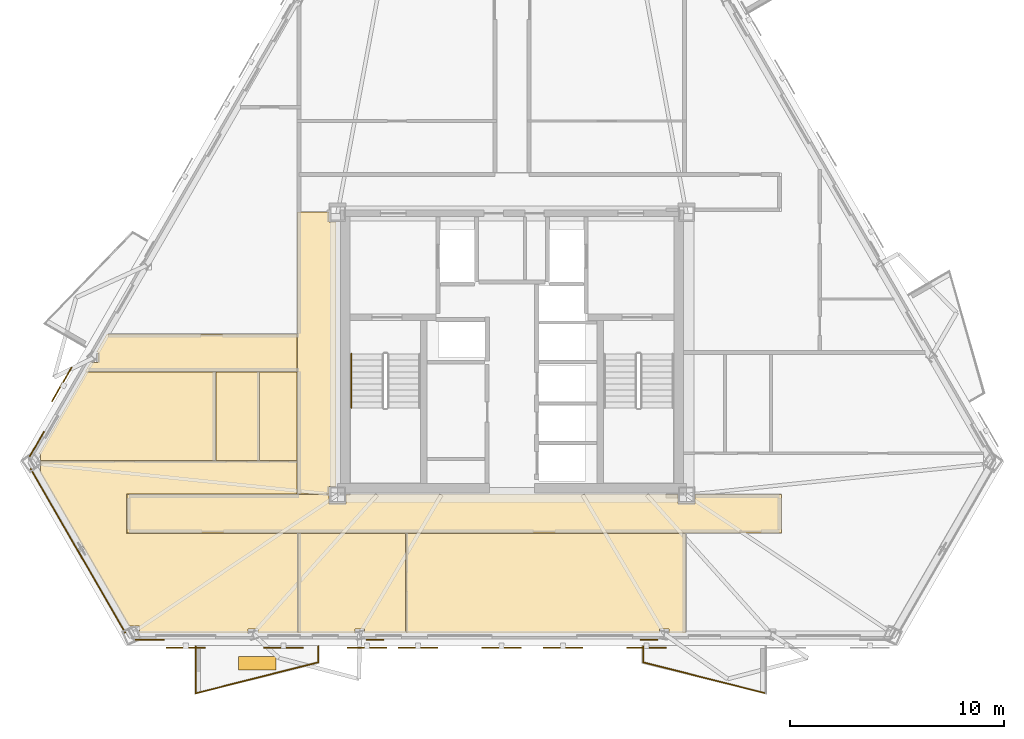
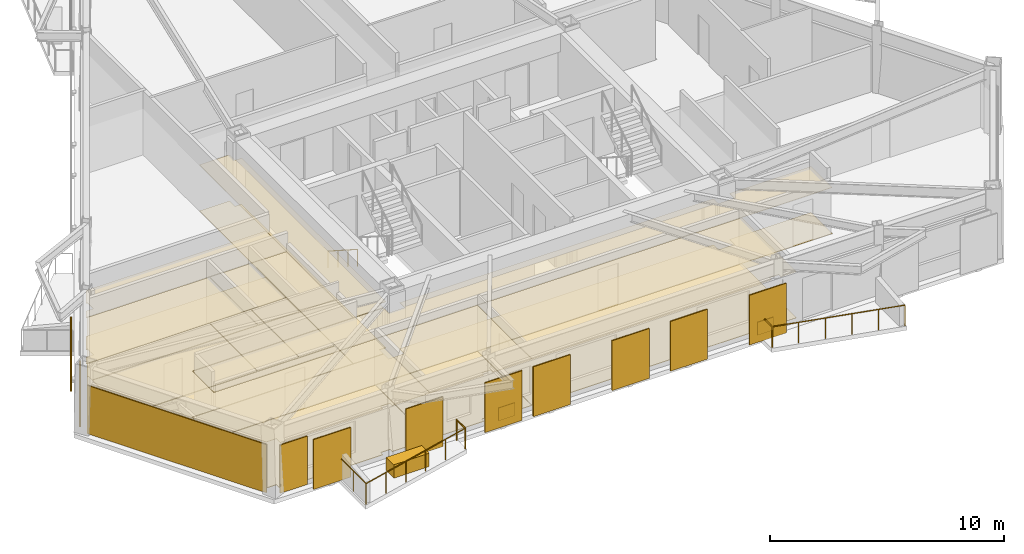
# One storey, part 7 of 9: 24 coverings, 8 shading devices, 6 railings.
"""IFC4 building model written with IfcOpenShell, lengths in metres."""

from ifc_helpers import new_model, si_unit, direction, frame, origin, origin_2d, place, context, subcontext, project, spatial, polyline, rectangle, circle, outline, extrude, material, layer, layer_set, type_object, element, save


model = new_model("IFC4")

# Units and contexts
model_context = context("Model", 3, precision=1e-05, world=origin(), true_north=direction((0.0, 1.0)))
body_context = subcontext(model_context, "Body", "Model", "MODEL_VIEW")
ifc_project = project(units=[si_unit("LENGTHUNIT", "METRE"), si_unit("AREAUNIT", "SQUARE_METRE"), si_unit("VOLUMEUNIT", "CUBIC_METRE"), si_unit("PLANEANGLEUNIT", "RADIAN"), si_unit("MASSUNIT", "GRAM", prefix="KILO")], contexts=[model_context])

# Site, building, storey
site_placement = place(None, origin())
site = spatial("IfcSite", under=ifc_project, at=site_placement, CompositionType="ELEMENT")
building_placement = place(site_placement, origin())
building = spatial("IfcBuilding", under=site, at=building_placement, Name="Oramaril Tower", CompositionType="ELEMENT")
storey_placement = place(building_placement, frame((0.0, 0.0, 153.0)))
storey = spatial("IfcBuildingStorey", under=building, at=storey_placement, Name="L40", CompositionType="ELEMENT", Elevation=153.0)

# Coverings
ifc_material_1 = material(Name="Mineral Fibre Acoustic Ceiling")
ifc_layer_1 = layer(ifc_material_1, 0.02001953125)
ifc_layer_set_1 = layer_set([ifc_layer_1], Name="CVT-CEIL")
covering_type_1 = type_object("IfcCoveringType", Name="CVT-CEIL", PredefinedType="CEILING", material=ifc_layer_set_1)
covering_1_placement = place(storey_placement, frame((0.0, 0.0, 2.412109375)))
element("IfcCovering", 1, at=covering_1_placement, inside=storey, type_object=covering_type_1, Name="L40 Acoustic Suspended Ceiling 1", PredefinedType="CEILING", context=body_context, shape_type="SweptSolid", body=[
    extrude(outline(polyline([(28.955078125, 10.60498046875), (29.7451171875, 10.60498046875), (29.7451171875, 11.030029296875), (45.2548828125, 11.030029296875), (45.2548828125, 10.60498046875), (46.044921875, 10.60498046875), (46.044921875, 11.030029296875), (50.080078125, 11.030029296875), (50.080078125, 9.219970703125), (19.52001953125, 9.219970703125), (19.52001953125, 11.030029296875), (28.955078125, 11.030029296875), (28.955078125, 10.60498046875)])), origin(), (0.0, 0.0, 1.0), 0.019775390625),
])
covering_2_placement = place(storey_placement, frame((0.0, 0.0, 2.412109375)))
element("IfcCovering", 2, at=covering_2_placement, inside=storey, type_object=covering_type_1, Name="L40 Acoustic Suspended Ceiling 3", PredefinedType="CEILING", context=body_context, shape_type="SweptSolid", body=[
    extrude(outline(polyline([(28.955078125, 23.7548828125), (29.280029296875, 23.7548828125), (29.280029296875, 11.39501953125), (28.955078125, 11.39501953125), (28.955078125, 11.050048828125), (27.469970703125, 11.050048828125), (27.469970703125, 24.219970703125), (28.955078125, 24.219970703125), (28.955078125, 23.7548828125)])), origin(), (0.0, 0.0, 1.0), 0.019775390625),
])
covering_3_placement = place(storey_placement, frame((0.0, 0.0, 2.412109375)))
element("IfcCovering", 3, at=covering_3_placement, inside=storey, type_object=covering_type_1, Name="L40 Acoustic Suspended Ceiling 5", PredefinedType="CEILING", context=body_context, shape_type="SweptSolid", body=[
    extrude(outline(polyline([(17.568603515625, 16.77001953125), (17.811767578125, 17.19091796875), (18.165771484375, 17.19091796875), (18.165771484375, 17.68798828125), (18.0986328125, 17.68798828125), (18.5849609375, 18.530029296875), (27.449951171875, 18.530029296875), (27.449951171875, 16.77001953125), (17.568603515625, 16.77001953125)])), origin(), (0.0, 0.0, 1.0), 0.019775390625),
])
covering_4_placement = place(storey_placement, frame((0.0, 0.0, 2.412109375)))
element("IfcCovering", 4, at=covering_4_placement, inside=storey, type_object=covering_type_1, Name="L40 Acoustic Suspended Ceiling 6", PredefinedType="CEILING", context=body_context, shape_type="SweptSolid", body=[
    extrude(outline(polyline([(44.8408203125, 4.730224609375), (44.388427734375, 4.730224609375), (44.388427734375, 4.5419921875), (32.55078125, 4.5419921875), (32.55078125, 9.199951171875), (45.60205078125, 9.199951171875), (45.60205078125, 4.5419921875), (44.8408203125, 4.5419921875), (44.8408203125, 4.730224609375)])), origin(), (0.0, 0.0, 1.0), 0.019775390625),
])
covering_5_placement = place(storey_placement, frame((0.0, 0.0, 2.412109375)))
element("IfcCovering", 5, at=covering_5_placement, inside=storey, type_object=covering_type_1, Name="L40 Acoustic Suspended Ceiling 7", PredefinedType="CEILING", context=body_context, shape_type="SweptSolid", body=[
    extrude(outline(polyline([(30.611572265625, 4.730224609375), (30.1591796875, 4.730224609375), (30.1591796875, 4.5419921875), (27.508056640625, 4.5419921875), (27.508056640625, 9.199951171875), (32.53076171875, 9.199951171875), (32.53076171875, 4.5419921875), (30.611572265625, 4.5419921875), (30.611572265625, 4.730224609375)])), origin(), (0.0, 0.0, 1.0), 0.019775390625),
])
covering_6_placement = place(storey_placement, frame((0.0, 0.0, 2.412109375)))
element("IfcCovering", 6, at=covering_6_placement, inside=storey, type_object=covering_type_1, Name="L40 Acoustic Suspended Ceiling 8", PredefinedType="CEILING", context=body_context, shape_type="SweptSolid", body=[
    extrude(outline(polyline([(25.635986328125, 4.5419921875), (25.635986328125, 4.730224609375), (25.17431640625, 4.730224609375), (25.17431640625, 4.5419921875), (20.10009765625, 4.5419921875), (20.10009765625, 4.880615234375), (19.596923828125, 4.880615234375), (15.42529296875, 12.106689453125), (15.4677734375, 12.106689453125), (15.4677734375, 12.592041015625), (27.449951171875, 12.592041015625), (27.449951171875, 11.050048828125), (19.52001953125, 11.050048828125), (19.51806640625, 11.0498046875), (19.51611328125, 11.049560546875), (19.51416015625, 11.049072265625), (19.51220703125, 11.048583984375), (19.510498046875, 11.047607421875), (19.5087890625, 11.046630859375), (19.50732421875, 11.04541015625), (19.505859375, 11.044189453125), (19.50439453125, 11.042724609375), (19.50341796875, 11.041015625), (19.50244140625, 11.039306640625), (19.50146484375, 11.03759765625), (19.5009765625, 11.035888671875), (19.50048828125, 11.033935546875), (19.5, 11.031982421875), (19.5, 11.030029296875), (19.5, 9.219970703125), (19.5, 9.218017578125), (19.50048828125, 9.216064453125), (19.5009765625, 9.214111328125), (19.50146484375, 9.21240234375), (19.50244140625, 9.210693359375), (19.50341796875, 9.208984375), (19.50439453125, 9.207275390625), (19.505859375, 9.205810546875), (19.50732421875, 9.20458984375), (19.5087890625, 9.203369140625), (19.510498046875, 9.202392578125), (19.51220703125, 9.201416015625), (19.51416015625, 9.200927734375), (19.51611328125, 9.200439453125), (19.51806640625, 9.2001953125), (19.52001953125, 9.199951171875), (27.488037109375, 9.199951171875), (27.488037109375, 4.5419921875), (25.635986328125, 4.5419921875)])), origin(), (0.0, 0.0, 1.0), 0.019775390625),
])
covering_7_placement = place(storey_placement, frame((0.0, 0.0, 2.412109375)))
element("IfcCovering", 7, at=covering_7_placement, inside=storey, type_object=covering_type_1, Name="L40 Acoustic Suspended Ceiling 9", PredefinedType="CEILING", context=body_context, shape_type="SweptSolid", body=[
    extrude(outline(polyline([(15.4677734375, 12.913818359375), (15.38623046875, 12.913818359375), (17.60107421875, 16.75), (23.643798828125, 16.75), (23.643798828125, 12.612060546875), (15.4677734375, 12.612060546875), (15.4677734375, 12.913818359375)])), origin(), (0.0, 0.0, 1.0), 0.019775390625),
])
covering_8_placement = place(storey_placement, frame((0.0, 0.0, 2.412109375)))
element("IfcCovering", 8, at=covering_8_placement, inside=storey, type_object=covering_type_1, Name="L40 Acoustic Suspended Ceiling 10", PredefinedType="CEILING", context=body_context, shape_type="SweptSolid", body=[
    extrude(outline(polyline([(25.69384765625, 12.612060546875), (23.663818359375, 12.612060546875), (23.663818359375, 16.75), (25.69384765625, 16.75), (25.69384765625, 12.612060546875)])), origin(), (0.0, 0.0, 1.0), 0.019775390625),
])
covering_9_placement = place(storey_placement, frame((0.0, 0.0, 2.412109375)))
element("IfcCovering", 9, at=covering_9_placement, inside=storey, type_object=covering_type_1, Name="L40 Acoustic Suspended Ceiling 11", PredefinedType="CEILING", context=body_context, shape_type="SweptSolid", body=[
    extrude(outline(polyline([(25.7138671875, 16.75), (27.449951171875, 16.75), (27.449951171875, 12.612060546875), (25.7138671875, 12.612060546875), (25.7138671875, 16.75)])), origin(), (0.0, 0.0, 1.0), 0.019775390625),
])
ifc_material_2 = material(Name="Warm Cream Limestone", Category="masonry")
ifc_layer_2 = layer(ifc_material_2, 0.050048828125)
ifc_layer_set_2 = layer_set([ifc_layer_2], Name="CVT-CLD")
covering_type_2 = type_object("IfcCoveringType", Name="CVT-CLD", PredefinedType="CLADDING", material=ifc_layer_set_2)
covering_10_placement = place(storey_placement, frame((17.221923828125, 8.392578125, 0.0400390625), z_axis=(0.0, 0.0, 1.0), x_axis=(0.5, -0.866025403784, 0.0)))
element("IfcCovering", 10, at=covering_10_placement, inside=storey, type_object=covering_type_2, Name="L40 Warm Cream Limestone Cladding", PredefinedType="CLADDING", context=body_context, shape_type="SweptSolid", body=[
    extrude(rectangle(XDim=8.864501953125, YDim=0.050048828125, at=origin_2d()), origin(), (0.0, 0.0, 1.0), 2.52001953125),
])
covering_11_placement = place(storey_placement, frame((20.580078125, 4.2412109375, 0.0400390625), z_axis=(0.0, 0.0, 1.0), x_axis=(1.0, 0.0, 0.0)))
element("IfcCovering", 11, at=covering_11_placement, inside=storey, type_object=covering_type_2, Name="L40 Warm Cream Limestone Cladding", PredefinedType="CLADDING", context=body_context, shape_type="SweptSolid", body=[
    extrude(rectangle(XDim=1.35009765625, YDim=0.050048828125, at=origin_2d()), origin(), (0.0, 0.0, 1.0), 2.52001953125),
])
for number, where, z_axis, x_axis, name in (
    (12, (31.102783203125, 4.2412109375, 0.0400390625), (0.0, 0.0, 1.0), (1.0, 0.0, 0.0), "L40 Warm Cream Limestone Spandrel Cladding"),
    (13, (43.897216796875, 4.2412109375, 0.0400390625), (0.0, 0.0, 1.0), (1.0, 0.0, 0.0), "L40 Warm Cream Limestone Spandrel Cladding"),
):
    element("IfcCovering", number, at=place(storey_placement, frame(where, z_axis=z_axis, x_axis=x_axis)), inside=storey, type_object=covering_type_2, Name=name, PredefinedType="CLADDING", context=body_context, shape_type="SweptSolid", body=[
        extrude(rectangle(XDim=0.800048828125, YDim=0.050048828125, at=origin_2d()), origin(), (0.0, 0.0, 1.0), 0.679931640625),
    ])
covering_12_placement = place(storey_placement, frame((15.305908203125, 13.37646484375, 0.0400390625), z_axis=(0.0, 0.0, 1.0), x_axis=(-0.5, -0.866025403784, 0.0)))
element("IfcCovering", 14, at=covering_12_placement, inside=storey, type_object=covering_type_2, Name="L40 Warm Cream Limestone Cladding", PredefinedType="CLADDING", context=body_context, shape_type="SweptSolid", body=[
    extrude(rectangle(XDim=1.35009765625, YDim=0.050048828125, at=origin_2d()), origin(), (0.0, 0.0, 1.0), 2.52001953125),
])
covering_13_placement = place(storey_placement, frame((25.589599609375, 3.1376953125, 0.0), z_axis=(0.0, 0.0, 1.0), x_axis=(1.0, 0.0, 0.0)))
element("IfcCovering", 15, at=covering_13_placement, inside=storey, type_object=covering_type_2, Name="L40 Structural Tree Planter Box L40-BAL-S1", PredefinedType="CLADDING", context=body_context, shape_type="SweptSolid", body=[
    extrude(rectangle(XDim=1.75, YDim=0.64990234375, at=origin_2d()), origin(), (0.0, 0.0, 1.0), 0.699951171875),
])
ifc_material_3 = material(Name="Honed Quartzite Stone Flooring", Category="masonry")
ifc_layer_3 = layer(ifc_material_3, 0.02490234375)
ifc_layer_set_3 = layer_set([ifc_layer_3], Name="CVT-FLR")
covering_type_3 = type_object("IfcCoveringType", Name="CVT-FLR", PredefinedType="FLOORING", material=ifc_layer_set_3)
covering_14_placement = place(storey_placement, origin())
element("IfcCovering", 16, at=covering_14_placement, inside=storey, type_object=covering_type_3, Name="L40 Honed Stone Floor Finish 1", PredefinedType="FLOORING", context=body_context, shape_type="SweptSolid", body=[
    extrude(outline(polyline([(28.955078125, 10.60498046875), (29.7451171875, 10.60498046875), (29.7451171875, 11.030029296875), (45.2548828125, 11.030029296875), (45.2548828125, 10.60498046875), (46.044921875, 10.60498046875), (46.044921875, 11.030029296875), (50.080078125, 11.030029296875), (50.080078125, 9.219970703125), (19.52001953125, 9.219970703125), (19.52001953125, 11.030029296875), (28.955078125, 11.030029296875), (28.955078125, 10.60498046875)])), origin(), (0.0, 0.0, 1.0), 0.02490234375),
])
covering_15_placement = place(storey_placement, origin())
element("IfcCovering", 17, at=covering_15_placement, inside=storey, type_object=covering_type_3, Name="L40 Honed Stone Floor Finish 3", PredefinedType="FLOORING", context=body_context, shape_type="SweptSolid", body=[
    extrude(outline(polyline([(28.955078125, 23.7548828125), (29.280029296875, 23.7548828125), (29.280029296875, 11.39501953125), (28.955078125, 11.39501953125), (28.955078125, 11.050048828125), (27.469970703125, 11.050048828125), (27.469970703125, 24.219970703125), (28.955078125, 24.219970703125), (28.955078125, 23.7548828125)])), origin(), (0.0, 0.0, 1.0), 0.02490234375),
])
covering_16_placement = place(storey_placement, origin())
element("IfcCovering", 18, at=covering_16_placement, inside=storey, type_object=covering_type_3, Name="L40 Honed Stone Floor Finish 5", PredefinedType="FLOORING", context=body_context, shape_type="SweptSolid", body=[
    extrude(outline(polyline([(17.568603515625, 16.77001953125), (17.811767578125, 17.19091796875), (18.165771484375, 17.19091796875), (18.165771484375, 17.68798828125), (18.0986328125, 17.68798828125), (18.5849609375, 18.530029296875), (27.449951171875, 18.530029296875), (27.449951171875, 16.77001953125), (17.568603515625, 16.77001953125)])), origin(), (0.0, 0.0, 1.0), 0.02490234375),
])
covering_17_placement = place(storey_placement, origin())
element("IfcCovering", 19, at=covering_17_placement, inside=storey, type_object=covering_type_3, Name="L40 Honed Stone Floor Finish 6", PredefinedType="FLOORING", context=body_context, shape_type="SweptSolid", body=[
    extrude(outline(polyline([(44.8408203125, 4.730224609375), (44.388427734375, 4.730224609375), (44.388427734375, 4.5419921875), (32.55078125, 4.5419921875), (32.55078125, 9.199951171875), (45.60205078125, 9.199951171875), (45.60205078125, 4.5419921875), (44.8408203125, 4.5419921875), (44.8408203125, 4.730224609375)])), origin(), (0.0, 0.0, 1.0), 0.02490234375),
])
covering_18_placement = place(storey_placement, origin())
element("IfcCovering", 20, at=covering_18_placement, inside=storey, type_object=covering_type_3, Name="L40 Honed Stone Floor Finish 7", PredefinedType="FLOORING", context=body_context, shape_type="SweptSolid", body=[
    extrude(outline(polyline([(30.611572265625, 4.730224609375), (30.1591796875, 4.730224609375), (30.1591796875, 4.5419921875), (27.508056640625, 4.5419921875), (27.508056640625, 9.199951171875), (32.53076171875, 9.199951171875), (32.53076171875, 4.5419921875), (30.611572265625, 4.5419921875), (30.611572265625, 4.730224609375)])), origin(), (0.0, 0.0, 1.0), 0.02490234375),
])
covering_19_placement = place(storey_placement, origin())
element("IfcCovering", 21, at=covering_19_placement, inside=storey, type_object=covering_type_3, Name="L40 Honed Stone Floor Finish 8", PredefinedType="FLOORING", context=body_context, shape_type="SweptSolid", body=[
    extrude(outline(polyline([(25.635986328125, 4.5419921875), (25.635986328125, 4.730224609375), (25.17431640625, 4.730224609375), (25.17431640625, 4.5419921875), (20.10009765625, 4.5419921875), (20.10009765625, 4.880615234375), (19.596923828125, 4.880615234375), (15.42529296875, 12.106689453125), (15.4677734375, 12.106689453125), (15.4677734375, 12.592041015625), (27.449951171875, 12.592041015625), (27.449951171875, 11.050048828125), (19.52001953125, 11.050048828125), (19.51806640625, 11.0498046875), (19.51611328125, 11.049560546875), (19.51416015625, 11.049072265625), (19.51220703125, 11.048583984375), (19.510498046875, 11.047607421875), (19.5087890625, 11.046630859375), (19.50732421875, 11.04541015625), (19.505859375, 11.044189453125), (19.50439453125, 11.042724609375), (19.50341796875, 11.041015625), (19.50244140625, 11.039306640625), (19.50146484375, 11.03759765625), (19.5009765625, 11.035888671875), (19.50048828125, 11.033935546875), (19.5, 11.031982421875), (19.5, 11.030029296875), (19.5, 9.219970703125), (19.5, 9.218017578125), (19.50048828125, 9.216064453125), (19.5009765625, 9.214111328125), (19.50146484375, 9.21240234375), (19.50244140625, 9.210693359375), (19.50341796875, 9.208984375), (19.50439453125, 9.207275390625), (19.505859375, 9.205810546875), (19.50732421875, 9.20458984375), (19.5087890625, 9.203369140625), (19.510498046875, 9.202392578125), (19.51220703125, 9.201416015625), (19.51416015625, 9.200927734375), (19.51611328125, 9.200439453125), (19.51806640625, 9.2001953125), (19.52001953125, 9.199951171875), (27.488037109375, 9.199951171875), (27.488037109375, 4.5419921875), (25.635986328125, 4.5419921875)])), origin(), (0.0, 0.0, 1.0), 0.02490234375),
])
covering_20_placement = place(storey_placement, origin())
element("IfcCovering", 22, at=covering_20_placement, inside=storey, type_object=covering_type_3, Name="L40 Honed Stone Floor Finish 9", PredefinedType="FLOORING", context=body_context, shape_type="SweptSolid", body=[
    extrude(outline(polyline([(15.4677734375, 12.913818359375), (15.38623046875, 12.913818359375), (17.60107421875, 16.75), (23.643798828125, 16.75), (23.643798828125, 12.612060546875), (15.4677734375, 12.612060546875), (15.4677734375, 12.913818359375)])), origin(), (0.0, 0.0, 1.0), 0.02490234375),
])
covering_21_placement = place(storey_placement, origin())
element("IfcCovering", 23, at=covering_21_placement, inside=storey, type_object=covering_type_3, Name="L40 Honed Stone Floor Finish 10", PredefinedType="FLOORING", context=body_context, shape_type="SweptSolid", body=[
    extrude(outline(polyline([(25.69384765625, 12.612060546875), (23.663818359375, 12.612060546875), (23.663818359375, 16.75), (25.69384765625, 16.75), (25.69384765625, 12.612060546875)])), origin(), (0.0, 0.0, 1.0), 0.02490234375),
])
covering_22_placement = place(storey_placement, origin())
element("IfcCovering", 24, at=covering_22_placement, inside=storey, type_object=covering_type_3, Name="L40 Honed Stone Floor Finish 11", PredefinedType="FLOORING", context=body_context, shape_type="SweptSolid", body=[
    extrude(outline(polyline([(25.7138671875, 16.75), (27.449951171875, 16.75), (27.449951171875, 12.612060546875), (25.7138671875, 12.612060546875), (25.7138671875, 16.75)])), origin(), (0.0, 0.0, 1.0), 0.02490234375),
])

# Railings
ifc_material_4 = material(Name="Stainless Steel 316L", Category="steel")
railing_type_1 = type_object("IfcRailingType", Name="RLT-GRD", PredefinedType="GUARDRAIL", material=ifc_material_4)
railing_1_placement = place(storey_placement, frame((28.45458984375, 3.926025390625, 0.0)))
element("IfcRailing", 25, at=railing_1_placement, inside=storey, type_object=railing_type_1, Name="L40 Balcony Guardrail L40-BAL-S1.1", PredefinedType="GUARDRAIL", context=body_context, shape_type="SweptSolid", body=[
    extrude(circle(Radius=0.02392578125, at=origin_2d()), frame((0.0, 0.0, 1.076171875), z_axis=(0.0, -1.0, 0.0), x_axis=(1.0, 0.0, 0.0)), (0.0, 0.0, 1.0), 0.741943359375),
    extrude(circle(Radius=0.02099609375, at=origin_2d()), origin(), (0.0, 0.0, 1.0), 1.052001953125),
    extrude(circle(Radius=0.02099609375, at=origin_2d()), frame((0.0, -0.741943359375, 0.0)), (0.0, 0.0, 1.0), 1.052001953125),
])
railing_2_placement = place(storey_placement, frame((28.45458984375, 3.18408203125, 0.0)))
element("IfcRailing", 26, at=railing_2_placement, inside=storey, type_object=railing_type_1, Name="L40 Balcony Guardrail L40-BAL-S1.2", PredefinedType="GUARDRAIL", context=body_context, shape_type="SweptSolid", body=[
    extrude(circle(Radius=0.02392578125, at=origin_2d()), frame((0.0, 0.0, 1.076171875), z_axis=(-0.969443611257, -0.245314256807, 0.0), x_axis=(0.245314256807, -0.969443611257, 0.0)), (0.0, 0.0, 1.0), 5.91064453125),
    extrude(circle(Radius=0.02099609375, at=origin_2d()), origin(), (0.0, 0.0, 1.0), 1.052001953125),
    extrude(circle(Radius=0.02099609375, at=origin_2d()), frame((-1.14599609375, -0.2900390625, 0.0)), (0.0, 0.0, 1.0), 1.052001953125),
    extrude(circle(Radius=0.02099609375, at=origin_2d()), frame((-2.2919921875, -0.580078125, 0.0)), (0.0, 0.0, 1.0), 1.052001953125),
    extrude(circle(Radius=0.02099609375, at=origin_2d()), frame((-3.43798828125, -0.869873046875, 0.0)), (0.0, 0.0, 1.0), 1.052001953125),
    extrude(circle(Radius=0.02099609375, at=origin_2d()), frame((-4.583984375, -1.159912109375, 0.0)), (0.0, 0.0, 1.0), 1.052001953125),
    extrude(circle(Radius=0.02099609375, at=origin_2d()), frame((-5.72998046875, -1.449951171875, 0.0)), (0.0, 0.0, 1.0), 1.052001953125),
])
railing_3_placement = place(storey_placement, frame((22.724609375, 1.734130859375, 0.0)))
element("IfcRailing", 27, at=railing_3_placement, inside=storey, type_object=railing_type_1, Name="L40 Balcony Guardrail L40-BAL-S1.3", PredefinedType="GUARDRAIL", context=body_context, shape_type="SweptSolid", body=[
    extrude(circle(Radius=0.02392578125, at=origin_2d()), frame((0.0, 0.0, 1.076171875), z_axis=(0.0, 1.0, 0.0), x_axis=(-1.0, 0.0, 0.0)), (0.0, 0.0, 1.0), 2.19189453125),
    extrude(circle(Radius=0.02099609375, at=origin_2d()), origin(), (0.0, 0.0, 1.0), 1.052001953125),
    extrude(circle(Radius=0.02099609375, at=origin_2d()), frame((0.0, 1.095947265625, 0.0)), (0.0, 0.0, 1.0), 1.052001953125),
    extrude(circle(Radius=0.02099609375, at=origin_2d()), frame((0.0, 2.19189453125, 0.0)), (0.0, 0.0, 1.0), 1.052001953125),
])
railing_4_placement = place(storey_placement, frame((49.350341796875, 1.734130859375, 0.0)))
element("IfcRailing", 28, at=railing_4_placement, inside=storey, type_object=railing_type_1, Name="L40 Balcony Guardrail L40-BAL-S2.2", PredefinedType="GUARDRAIL", context=body_context, shape_type="SweptSolid", body=[
    extrude(circle(Radius=0.02392578125, at=origin_2d()), frame((0.0, 0.0, 1.076171875), z_axis=(-0.969443611257, 0.245314256807, 0.0), x_axis=(-0.245314256807, -0.969443611257, 0.0)), (0.0, 0.0, 1.0), 5.91064453125),
    extrude(circle(Radius=0.02099609375, at=origin_2d()), origin(), (0.0, 0.0, 1.0), 1.052001953125),
    extrude(circle(Radius=0.02099609375, at=origin_2d()), frame((-1.14599609375, 0.2900390625, 0.0)), (0.0, 0.0, 1.0), 1.052001953125),
    extrude(circle(Radius=0.02099609375, at=origin_2d()), frame((-2.2919921875, 0.580078125, 0.0)), (0.0, 0.0, 1.0), 1.052001953125),
    extrude(circle(Radius=0.02099609375, at=origin_2d()), frame((-3.43798828125, 0.869873046875, 0.0)), (0.0, 0.0, 1.0), 1.052001953125),
    extrude(circle(Radius=0.02099609375, at=origin_2d()), frame((-4.583984375, 1.159912109375, 0.0)), (0.0, 0.0, 1.0), 1.052001953125),
    extrude(circle(Radius=0.02099609375, at=origin_2d()), frame((-5.72998046875, 1.449951171875, 0.0)), (0.0, 0.0, 1.0), 1.052001953125),
])
railing_5_placement = place(storey_placement, frame((43.620361328125, 3.18408203125, 0.0)))
element("IfcRailing", 29, at=railing_5_placement, inside=storey, type_object=railing_type_1, Name="L40 Balcony Guardrail L40-BAL-S2.3", PredefinedType="GUARDRAIL", context=body_context, shape_type="SweptSolid", body=[
    extrude(circle(Radius=0.02392578125, at=origin_2d()), frame((0.0, 0.0, 1.076171875), z_axis=(0.0, 1.0, 0.0), x_axis=(-1.0, 0.0, 0.0)), (0.0, 0.0, 1.0), 0.741943359375),
    extrude(circle(Radius=0.02099609375, at=origin_2d()), origin(), (0.0, 0.0, 1.0), 1.052001953125),
    extrude(circle(Radius=0.02099609375, at=origin_2d()), frame((0.0, 0.741943359375, 0.0)), (0.0, 0.0, 1.0), 1.052001953125),
])
ifc_material_5 = material(Name="Stainless Steel 316L", Category="steel")
railing_type_2 = type_object("IfcRailingType", Name="RLT-HND", PredefinedType="HANDRAIL", material=ifc_material_5)
railing_6_placement = place(storey_placement, frame((30.0, 17.590087890625, 0.179931640625)))
element("IfcRailing", 30, at=railing_6_placement, inside=storey, type_object=railing_type_2, Name="L40 ST-1 stair handrail 1", PredefinedType="HANDRAIL", context=body_context, shape_type="SweptSolid", body=[
    extrude(circle(Radius=0.02392578125, at=origin_2d()), frame((0.0, 0.0, 0.8759765625), z_axis=(0.0, -0.841162588446, 0.540782303519), x_axis=(1.0, 0.0, 0.0)), (0.0, 0.0, 1.0), 2.995849609375),
    extrude(circle(Radius=0.02099609375, at=origin_2d()), origin(), (0.0, 0.0, 1.0), 0.851806640625),
    extrude(circle(Radius=0.02099609375, at=origin_2d()), frame((0.0, -0.840087890625, 0.5400390625)), (0.0, 0.0, 1.0), 0.851806640625),
    extrude(circle(Radius=0.02099609375, at=origin_2d()), frame((0.0, -1.679931640625, 1.080078125)), (0.0, 0.0, 1.0), 0.851806640625),
    extrude(circle(Radius=0.02099609375, at=origin_2d()), frame((0.0, -2.52001953125, 1.6201171875)), (0.0, 0.0, 1.0), 0.851806640625),
])

# Shading devices
for number, where, z_axis, x_axis, name in (
    (31, (33.1083984375, 3.85400390625, -0.02001953125), (0.0, 0.0, 1.0), (1.0, 0.0, 0.0), "L40 Perforated Ceramic Solar Screen"),
    (32, (37.008544921875, 3.85400390625, -0.02001953125), (0.0, 0.0, 1.0), (1.0, 0.0, 0.0), "L40 Perforated Ceramic Solar Screen"),
    (33, (39.88525390625, 3.85400390625, -0.02001953125), (0.0, 0.0, 1.0), (1.0, 0.0, 0.0), "L40 Perforated Ceramic Solar Screen"),
    (34, (43.785400390625, 3.85400390625, -0.02001953125), (0.0, 0.0, 1.0), (1.0, 0.0, 0.0), "L40 Perforated Ceramic Solar Screen"),
    (35, (26.82666015625, 3.85400390625, -0.02001953125), (0.0, 0.0, 1.0), (1.0, 0.0, 0.0), "L40 Perforated Ceramic Solar Screen"),
    (36, (30.726806640625, 3.85400390625, -0.02001953125), (0.0, 0.0, 1.0), (1.0, 0.0, 0.0), "L40 Perforated Ceramic Solar Screen"),
    (37, (22.2607421875, 3.85400390625, -0.02001953125), (0.0, 0.0, 1.0), (1.0, 0.0, 0.0), "L40 Perforated Ceramic Solar Screen"),
    (38, (16.46630859375, 16.160400390625, -0.02001953125), (0.0, 0.0, 1.0), (-0.5, -0.866025403784, 0.0), "L40 Perforated Ceramic Solar Screen"),
):
    element("IfcShadingDevice", number, at=place(storey_placement, frame(where, z_axis=z_axis, x_axis=x_axis)), inside=storey, Name=name, ObjectType="SCREEN", PredefinedType="USERDEFINED", context=body_context, shape_type="SweptSolid", body=[
        extrude(rectangle(XDim=1.8330078125, YDim=0.050048828125, at=origin_2d()), origin(), (0.0, 0.0, 1.0), 2.60009765625),
    ])

save(model, "model.ifc")
